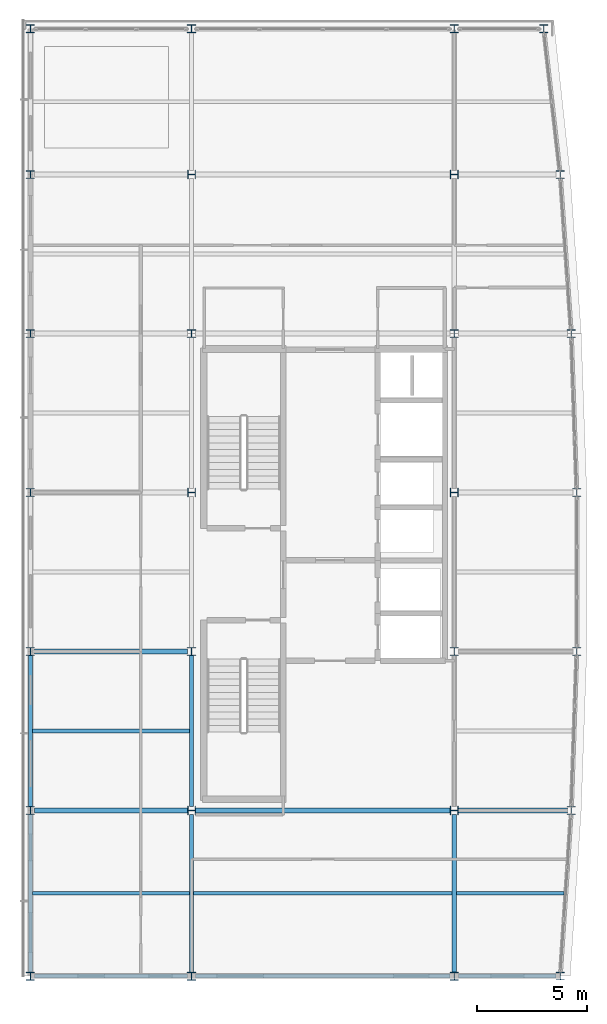
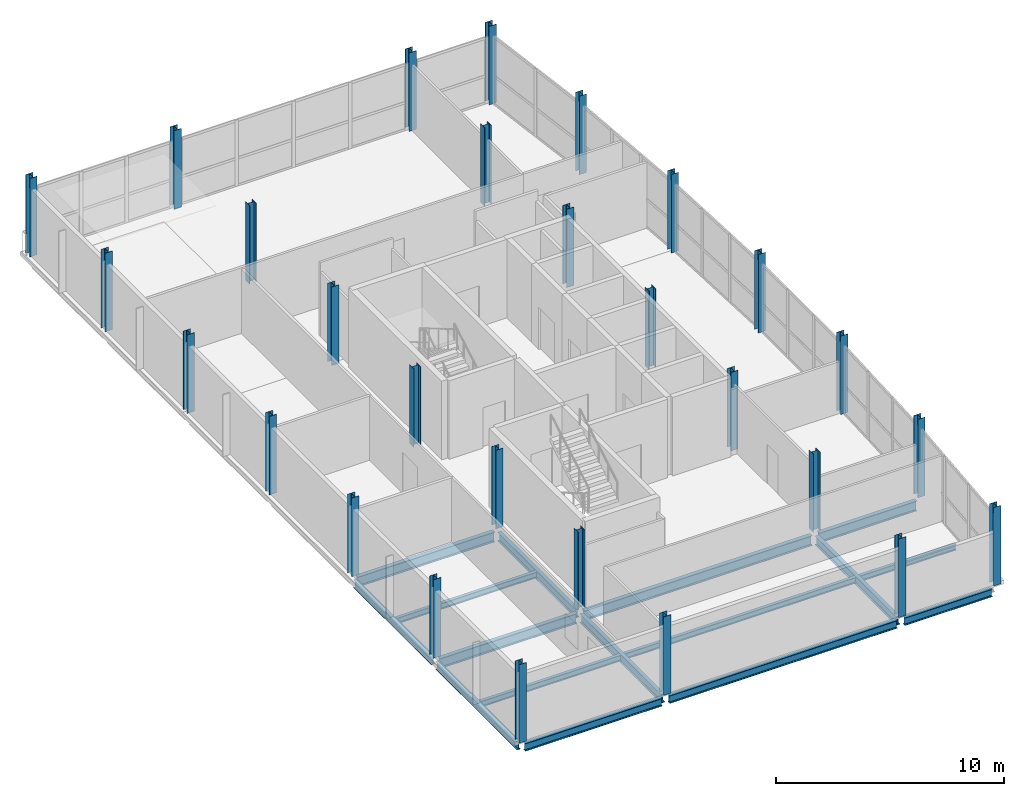
# One storey, part 1 of 17: 28 columns, 16 beams.
"""IFC4 building model written with IfcOpenShell, lengths in metres."""

from ifc_helpers import new_model, si_unit, direction, frame, origin, origin_2d, place, context, subcontext, project, spatial, i_section, extrude, material, material_profile, profile_set, type_object, element, save


model = new_model("IFC4")

# Units and contexts
model_context = context("Model", 3, precision=1e-05, world=origin(), true_north=direction((0.0, 1.0)))
body_context = subcontext(model_context, "Body", "Model", "MODEL_VIEW")
ifc_project = project(units=[si_unit("LENGTHUNIT", "METRE"), si_unit("AREAUNIT", "SQUARE_METRE"), si_unit("VOLUMEUNIT", "CUBIC_METRE"), si_unit("PLANEANGLEUNIT", "RADIAN"), si_unit("MASSUNIT", "GRAM", prefix="KILO")], contexts=[model_context])

# Site, building, storey
site_placement = place(None, origin())
site = spatial("IfcSite", under=ifc_project, at=site_placement, CompositionType="ELEMENT")
building_placement = place(site_placement, origin())
building = spatial("IfcBuilding", under=site, at=building_placement, Name="Quillay Park Conservatory", CompositionType="ELEMENT")
storey_placement = place(building_placement, frame((0.0, 0.0, 56.10009765625)))
storey = spatial("IfcBuildingStorey", under=building, at=storey_placement, Name="L13", CompositionType="ELEMENT", Elevation=56.10009765625)

# Columns
ifc_material_1 = material(Name="Steel ASTM A992 Grade 50", Category="steel")
ifc_material_profile_1 = material_profile(ifc_material_1, i_section(OverallWidth=0.368896484375, OverallDepth=0.35595703125, WebThickness=0.01123046875, FlangeThickness=0.01806640625, FilletRadius=0.014892578125, at=origin_2d()), Name="W360x134")
ifc_profile_set_1 = profile_set([ifc_material_profile_1], Name="Steel ASTM A992 Grade 50")
column_type = type_object("IfcColumnType", Name="COMPOSITE STEEL COLUMN W360 X134", PredefinedType="COLUMN", material=ifc_profile_set_1)
for number, where, z_axis, x_axis, name in (
    (1, (0.550048828125, 70.5, 0.0), (0.0, 0.0, 1.0), (1.0, 0.0, 0.0), "L13 column COL-V4-L13-0-0"),
    (2, (7.85009765625, 70.5, 0.0), (0.0, 0.0, 1.0), (1.0, 0.0, 0.0), "L13 column COL-V4-L13-0-1"),
    (3, (19.75, 70.5, 0.0), (0.0, 0.0, 1.0), (1.0, 0.0, 0.0), "L13 column COL-V4-L13-0-2"),
    (4, (24.550048828125, 70.5, 0.0), (0.0, 0.0, 1.0), (1.0, 0.0, 0.0), "L13 column COL-V4-L13-0-3"),
    (5, (0.550048828125, 78.0, 0.0), (0.0, 0.0, 1.0), (1.0, 0.0, 0.0), "L13 column COL-V4-L13-1-0"),
    (6, (7.85009765625, 78.0, 0.0), (0.0, 0.0, 1.0), (0.0, 1.0, 0.0), "L13 column COL-V4-L13-1-1"),
    (7, (19.75, 78.0, 0.0), (0.0, 0.0, 1.0), (0.0, 1.0, 0.0), "L13 column COL-V4-L13-1-2"),
    (8, (25.050048828125, 78.0, 0.0), (0.0, 0.0, 1.0), (1.0, 0.0, 0.0), "L13 column COL-V4-L13-1-3"),
    (9, (0.550048828125, 85.199951171875, 0.0), (0.0, 0.0, 1.0), (1.0, 0.0, 0.0), "L13 column COL-V4-L13-2-0"),
    (10, (7.85009765625, 85.199951171875, 0.0), (0.0, 0.0, 1.0), (1.0, 0.0, 0.0), "L13 column COL-V4-L13-2-1"),
    (11, (19.75, 85.199951171875, 0.0), (0.0, 0.0, 1.0), (1.0, 0.0, 0.0), "L13 column COL-V4-L13-2-2"),
    (12, (25.300048828125, 85.199951171875, 0.0), (0.0, 0.0, 1.0), (1.0, 0.0, 0.0), "L13 column COL-V4-L13-2-3"),
    (13, (0.550048828125, 92.39990234375, 0.0), (0.0, 0.0, 1.0), (1.0, 0.0, 0.0), "L13 column COL-V4-L13-3-0"),
    (14, (7.85009765625, 92.39990234375, 0.0), (0.0, 0.0, 1.0), (0.0, 1.0, 0.0), "L13 column COL-V4-L13-3-1"),
    (15, (19.75, 92.39990234375, 0.0), (0.0, 0.0, 1.0), (0.0, 1.0, 0.0), "L13 column COL-V4-L13-3-2"),
    (16, (25.300048828125, 92.39990234375, 0.0), (0.0, 0.0, 1.0), (1.0, 0.0, 0.0), "L13 column COL-V4-L13-3-3"),
    (17, (0.550048828125, 99.60009765625, 0.0), (0.0, 0.0, 1.0), (1.0, 0.0, 0.0), "L13 column COL-V4-L13-4-0"),
    (18, (7.85009765625, 99.60009765625, 0.0), (0.0, 0.0, 1.0), (1.0, 0.0, 0.0), "L13 column COL-V4-L13-4-1"),
    (19, (19.75, 99.60009765625, 0.0), (0.0, 0.0, 1.0), (1.0, 0.0, 0.0), "L13 column COL-V4-L13-4-2"),
    (20, (25.050048828125, 99.60009765625, 0.0), (0.0, 0.0, 1.0), (1.0, 0.0, 0.0), "L13 column COL-V4-L13-4-3"),
    (21, (0.550048828125, 106.800048828125, 0.0), (0.0, 0.0, 1.0), (1.0, 0.0, 0.0), "L13 column COL-V4-L13-5-0"),
    (22, (7.85009765625, 106.800048828125, 0.0), (0.0, 0.0, 1.0), (0.0, 1.0, 0.0), "L13 column COL-V4-L13-5-1"),
    (23, (19.75, 106.800048828125, 0.0), (0.0, 0.0, 1.0), (0.0, 1.0, 0.0), "L13 column COL-V4-L13-5-2"),
    (24, (24.550048828125, 106.800048828125, 0.0), (0.0, 0.0, 1.0), (1.0, 0.0, 0.0), "L13 column COL-V4-L13-5-3"),
    (25, (0.550048828125, 113.39990234375, 0.0), (0.0, 0.0, 1.0), (1.0, 0.0, 0.0), "L13 column COL-V4-L13-6-0"),
    (26, (7.85009765625, 113.39990234375, 0.0), (0.0, 0.0, 1.0), (1.0, 0.0, 0.0), "L13 column COL-V4-L13-6-1"),
    (27, (19.75, 113.39990234375, 0.0), (0.0, 0.0, 1.0), (1.0, 0.0, 0.0), "L13 column COL-V4-L13-6-2"),
    (28, (23.800048828125, 113.39990234375, 0.0), (0.0, 0.0, 1.0), (1.0, 0.0, 0.0), "L13 column COL-V4-L13-6-3"),
):
    element("IfcColumn", number, at=place(storey_placement, frame(where, z_axis=z_axis, x_axis=x_axis)), inside=storey, type_object=column_type, Name=name, PredefinedType="COLUMN", context=body_context, shape_type="SweptSolid", body=[
        extrude(i_section(OverallWidth=0.368896484375, OverallDepth=0.35595703125, WebThickness=0.01123046875, FlangeThickness=0.01806640625, FilletRadius=0.014892578125, at=origin_2d()), origin(), (0.0, 0.0, 1.0), 4.199951171875),
    ])

# Beams
ifc_material_2 = material(Name="Steel ASTM A992 Grade 50", Category="steel")
ifc_material_profile_2 = material_profile(ifc_material_2, i_section(OverallWidth=0.166015625, OverallDepth=0.31298828125, WebThickness=0.006591796875, FlangeThickness=0.01123046875, FilletRadius=0.010009765625, at=origin_2d()), Name="W310x45")
ifc_profile_set_2 = profile_set([ifc_material_profile_2], Name="Steel ASTM A992 Grade 50")
beam_type_1 = type_object("IfcBeamType", Name="COMPOSITE FLOOR JOIST W310 X45", PredefinedType="JOIST", material=ifc_profile_set_2)
beam_1_placement = place(storey_placement, frame((0.639892578125, 74.25, -0.356689453125), z_axis=(1.0, 0.0, 0.0), x_axis=(0.0, 1.0, 0.0)))
element("IfcBeam", 29, at=beam_1_placement, inside=storey, type_object=beam_type_1, Name="L13 beam BM-J-0907", PredefinedType="JOIST", context=body_context, shape_type="SweptSolid", body=[
    extrude(i_section(OverallWidth=0.166015625, OverallDepth=0.31298828125, WebThickness=0.006591796875, FlangeThickness=0.01123046875, FilletRadius=0.010009765625, at=origin_2d()), origin(), (0.0, 0.0, 1.0), 7.114013671875),
])
beam_2_placement = place(storey_placement, frame((19.845947265625, 74.25, -0.356689453125), z_axis=(1.0, 0.0, 0.0), x_axis=(0.0, 1.0, 0.0)))
element("IfcBeam", 30, at=beam_2_placement, inside=storey, type_object=beam_type_1, Name="L13 beam BM-J-0908", PredefinedType="JOIST", context=body_context, shape_type="SweptSolid", body=[
    extrude(i_section(OverallWidth=0.166015625, OverallDepth=0.31298828125, WebThickness=0.006591796875, FlangeThickness=0.01123046875, FilletRadius=0.010009765625, at=origin_2d()), origin(), (0.0, 0.0, 1.0), 4.864013671875),
])
beam_3_placement = place(storey_placement, frame((7.946044921875, 74.25, -0.356689453125), z_axis=(1.0, 0.0, 0.0), x_axis=(0.0, 1.0, 0.0)))
element("IfcBeam", 31, at=beam_3_placement, inside=storey, type_object=beam_type_1, Name="L13 beam BM-J-0909", PredefinedType="JOIST", context=body_context, shape_type="SweptSolid", body=[
    extrude(i_section(OverallWidth=0.166015625, OverallDepth=0.31298828125, WebThickness=0.006591796875, FlangeThickness=0.01123046875, FilletRadius=0.010009765625, at=origin_2d()), origin(), (0.0, 0.0, 1.0), 11.7080078125),
])
beam_4_placement = place(storey_placement, frame((0.639892578125, 81.60009765625, -0.356689453125), z_axis=(1.0, 0.0, 0.0), x_axis=(0.0, 1.0, 0.0)))
element("IfcBeam", 32, at=beam_4_placement, inside=storey, type_object=beam_type_1, Name="L13 beam BM-J-0914", PredefinedType="JOIST", context=body_context, shape_type="SweptSolid", body=[
    extrude(i_section(OverallWidth=0.166015625, OverallDepth=0.31298828125, WebThickness=0.006591796875, FlangeThickness=0.01123046875, FilletRadius=0.010009765625, at=origin_2d()), origin(), (0.0, 0.0, 1.0), 7.114013671875),
])
ifc_material_3 = material(Name="Steel ASTM A992 Grade 50", Category="steel")
ifc_material_profile_3 = material_profile(ifc_material_3, i_section(OverallWidth=0.179931640625, OverallDepth=0.4130859375, WebThickness=0.009765625, FlangeThickness=0.01611328125, FilletRadius=0.011962890625, at=origin_2d()), Name="W410x74")
ifc_profile_set_3 = profile_set([ifc_material_profile_3], Name="Steel ASTM A992 Grade 50")
beam_type_2 = type_object("IfcBeamType", Name="PERIMETER SPANDREL BEAM W410 X74", PredefinedType="SPANDREL", material=ifc_profile_set_3)
beam_5_placement = place(storey_placement, frame((0.734619140625, 70.5, -0.406494140625), z_axis=(1.0, 0.0, 0.0), x_axis=(0.0, 1.0, 0.0)))
element("IfcBeam", 33, at=beam_5_placement, inside=storey, type_object=beam_type_2, Name="L13 beam BM-SP-0884", PredefinedType="SPANDREL", context=body_context, shape_type="SweptSolid", body=[
    extrude(i_section(OverallWidth=0.179931640625, OverallDepth=0.4130859375, WebThickness=0.009765625, FlangeThickness=0.01611328125, FilletRadius=0.011962890625, at=origin_2d()), origin(), (0.0, 0.0, 1.0), 6.930908203125),
])
beam_6_placement = place(storey_placement, frame((8.034423828125, 70.5, -0.406494140625), z_axis=(1.0, 0.0, 0.0), x_axis=(0.0, 1.0, 0.0)))
element("IfcBeam", 34, at=beam_6_placement, inside=storey, type_object=beam_type_2, Name="L13 beam BM-SP-0885", PredefinedType="SPANDREL", context=body_context, shape_type="SweptSolid", body=[
    extrude(i_section(OverallWidth=0.179931640625, OverallDepth=0.4130859375, WebThickness=0.009765625, FlangeThickness=0.01611328125, FilletRadius=0.011962890625, at=origin_2d()), origin(), (0.0, 0.0, 1.0), 11.531005859375),
])
beam_7_placement = place(storey_placement, frame((19.9345703125, 70.5, -0.406494140625), z_axis=(1.0, 0.0, 0.0), x_axis=(0.0, 1.0, 0.0)))
element("IfcBeam", 35, at=beam_7_placement, inside=storey, type_object=beam_type_2, Name="L13 beam BM-SP-0886", PredefinedType="SPANDREL", context=body_context, shape_type="SweptSolid", body=[
    extrude(i_section(OverallWidth=0.179931640625, OverallDepth=0.4130859375, WebThickness=0.009765625, FlangeThickness=0.01611328125, FilletRadius=0.011962890625, at=origin_2d()), origin(), (0.0, 0.0, 1.0), 4.430908203125),
])
beam_8_placement = place(storey_placement, frame((0.550048828125, 70.677978515625, -0.406494140625), z_axis=(0.0, 1.0, 0.0), x_axis=(-1.0, 0.0, 0.0)))
element("IfcBeam", 36, at=beam_8_placement, inside=storey, type_object=beam_type_2, Name="L13 beam BM-SPW-0903", PredefinedType="SPANDREL", context=body_context, shape_type="SweptSolid", body=[
    extrude(i_section(OverallWidth=0.179931640625, OverallDepth=0.4130859375, WebThickness=0.009765625, FlangeThickness=0.01611328125, FilletRadius=0.011962890625, at=origin_2d()), origin(), (0.0, 0.0, 1.0), 7.14404296875),
])
beam_9_placement = place(storey_placement, frame((0.550048828125, 78.177978515625, -0.406494140625), z_axis=(0.0, 1.0, 0.0), x_axis=(-1.0, 0.0, 0.0)))
element("IfcBeam", 37, at=beam_9_placement, inside=storey, type_object=beam_type_2, Name="L13 beam BM-SPW-0910", PredefinedType="SPANDREL", context=body_context, shape_type="SweptSolid", body=[
    extrude(i_section(OverallWidth=0.179931640625, OverallDepth=0.4130859375, WebThickness=0.009765625, FlangeThickness=0.01611328125, FilletRadius=0.011962890625, at=origin_2d()), origin(), (0.0, 0.0, 1.0), 6.843994140625),
])
ifc_material_4 = material(Name="Steel ASTM A992 Grade 50", Category="steel")
ifc_material_profile_4 = material_profile(ifc_material_4, i_section(OverallWidth=0.19189453125, OverallDepth=0.462890625, WebThickness=0.010498046875, FlangeThickness=0.017578125, FilletRadius=0.012939453125, at=origin_2d()), Name="W460x89")
ifc_profile_set_4 = profile_set([ifc_material_profile_4], Name="Steel ASTM A992 Grade 50")
beam_type_3 = type_object("IfcBeamType", Name="PRIMARY FLOOR GIRDER W460 X89", PredefinedType="BEAM", material=ifc_profile_set_4)
for number, where, z_axis, x_axis, name in (
    (38, (7.85009765625, 70.677978515625, -0.431640625), (0.0, 1.0, 0.0), (-1.0, 0.0, 0.0), "L13 beam BM-GNS-0905"),
    (39, (19.75, 70.677978515625, -0.431640625), (0.0, 1.0, 0.0), (-1.0, 0.0, 0.0), "L13 beam BM-GNS-0906"),
):
    element("IfcBeam", number, at=place(storey_placement, frame(where, z_axis=z_axis, x_axis=x_axis)), inside=storey, type_object=beam_type_3, Name=name, PredefinedType="BEAM", context=body_context, shape_type="SweptSolid", body=[
        extrude(i_section(OverallWidth=0.19189453125, OverallDepth=0.462890625, WebThickness=0.010498046875, FlangeThickness=0.017578125, FilletRadius=0.012939453125, at=origin_2d()), origin(), (0.0, 0.0, 1.0), 7.137451171875),
    ])
beam_10_placement = place(storey_placement, frame((7.85009765625, 78.1845703125, -0.431640625), z_axis=(0.0, 1.0, 0.0), x_axis=(-1.0, 0.0, 0.0)))
element("IfcBeam", 40, at=beam_10_placement, inside=storey, type_object=beam_type_3, Name="L13 beam BM-GNS-0912", PredefinedType="BEAM", context=body_context, shape_type="SweptSolid", body=[
    extrude(i_section(OverallWidth=0.19189453125, OverallDepth=0.462890625, WebThickness=0.010498046875, FlangeThickness=0.017578125, FilletRadius=0.012939453125, at=origin_2d()), origin(), (0.0, 0.0, 1.0), 6.83740234375),
])
ifc_material_5 = material(Name="Steel ASTM A992 Grade 50", Category="steel")
ifc_material_profile_5 = material_profile(ifc_material_5, i_section(OverallWidth=0.2109375, OverallDepth=0.5390625, WebThickness=0.01171875, FlangeThickness=0.018798828125, FilletRadius=0.013916015625, at=origin_2d()), Name="W530x109")
ifc_profile_set_5 = profile_set([ifc_material_profile_5], Name="Steel ASTM A992 Grade 50")
beam_type_4 = type_object("IfcBeamType", Name="PRIMARY FLOOR GIRDER W530 X109", PredefinedType="BEAM", material=ifc_profile_set_5)
beam_11_placement = place(storey_placement, frame((0.734619140625, 78.0, -0.469482421875), z_axis=(1.0, 0.0, 0.0), x_axis=(0.0, 1.0, 0.0)))
element("IfcBeam", 41, at=beam_11_placement, inside=storey, type_object=beam_type_4, Name="L13 beam BM-G-0887", PredefinedType="BEAM", context=body_context, shape_type="SweptSolid", body=[
    extrude(i_section(OverallWidth=0.2109375, OverallDepth=0.5390625, WebThickness=0.01171875, FlangeThickness=0.018798828125, FilletRadius=0.013916015625, at=origin_2d()), origin(), (0.0, 0.0, 1.0), 6.9375),
])
beam_12_placement = place(storey_placement, frame((8.028076171875, 78.0, -0.469482421875), z_axis=(1.0, 0.0, 0.0), x_axis=(0.0, 1.0, 0.0)))
element("IfcBeam", 42, at=beam_12_placement, inside=storey, type_object=beam_type_4, Name="L13 beam BM-G-0888", PredefinedType="BEAM", context=body_context, shape_type="SweptSolid", body=[
    extrude(i_section(OverallWidth=0.2109375, OverallDepth=0.5390625, WebThickness=0.01171875, FlangeThickness=0.018798828125, FilletRadius=0.013916015625, at=origin_2d()), origin(), (0.0, 0.0, 1.0), 11.5439453125),
])
beam_13_placement = place(storey_placement, frame((19.927978515625, 78.0, -0.469482421875), z_axis=(1.0, 0.0, 0.0), x_axis=(0.0, 1.0, 0.0)))
element("IfcBeam", 43, at=beam_13_placement, inside=storey, type_object=beam_type_4, Name="L13 beam BM-G-0889", PredefinedType="BEAM", context=body_context, shape_type="SweptSolid", body=[
    extrude(i_section(OverallWidth=0.2109375, OverallDepth=0.5390625, WebThickness=0.01171875, FlangeThickness=0.018798828125, FilletRadius=0.013916015625, at=origin_2d()), origin(), (0.0, 0.0, 1.0), 4.9375),
])
beam_14_placement = place(storey_placement, frame((0.734619140625, 85.199951171875, -0.469482421875), z_axis=(1.0, 0.0, 0.0), x_axis=(0.0, 1.0, 0.0)))
element("IfcBeam", 44, at=beam_14_placement, inside=storey, type_object=beam_type_4, Name="L13 beam BM-G-0890", PredefinedType="BEAM", context=body_context, shape_type="SweptSolid", body=[
    extrude(i_section(OverallWidth=0.2109375, OverallDepth=0.5390625, WebThickness=0.01171875, FlangeThickness=0.018798828125, FilletRadius=0.013916015625, at=origin_2d()), origin(), (0.0, 0.0, 1.0), 6.930908203125),
])

save(model, "model.ifc")
